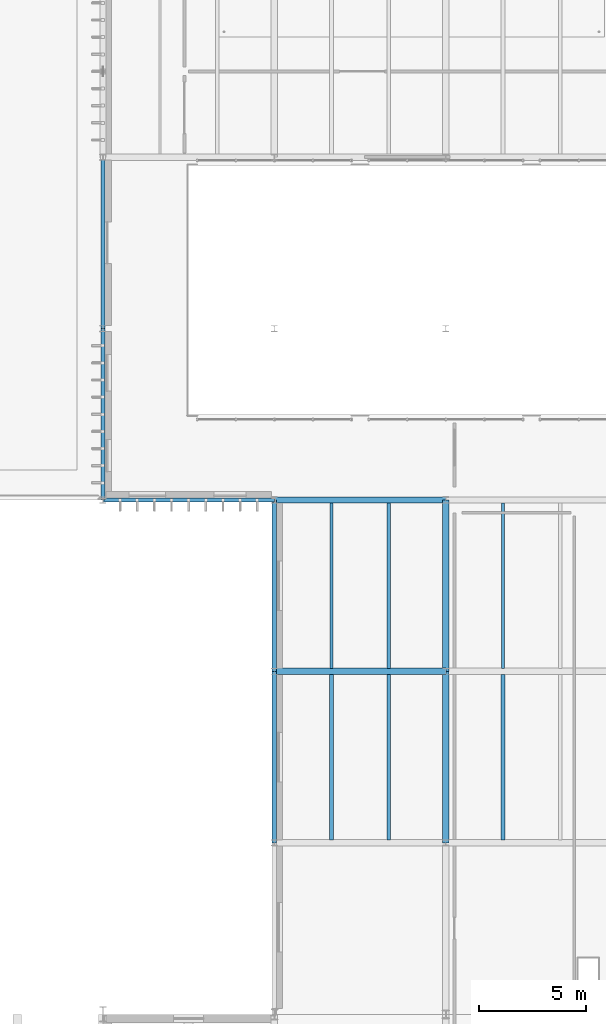
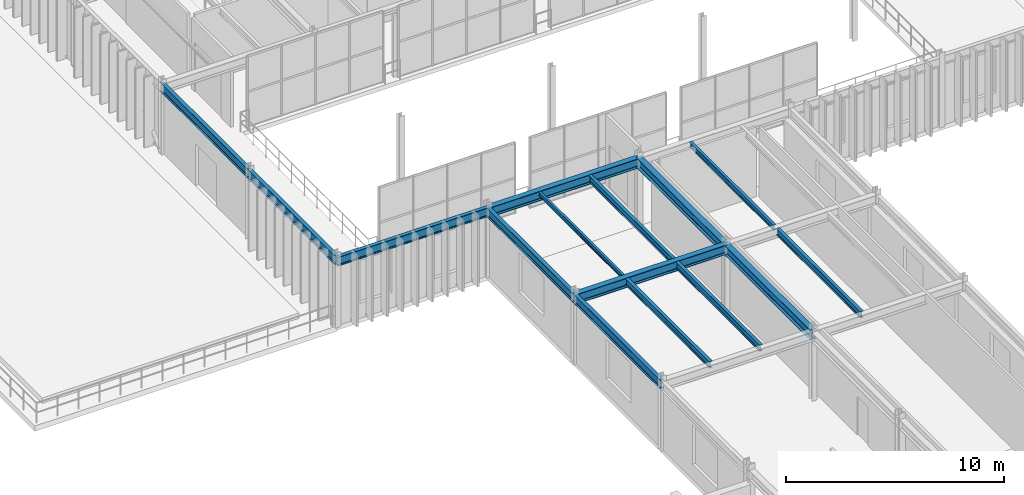
# One storey, part 41 of 122: 15 beams.
"""IFC4 building model written with IfcOpenShell, lengths in metres."""

from ifc_helpers import new_model, si_unit, direction, frame, origin, origin_2d, place, context, subcontext, project, spatial, i_section, extrude, material, material_profile, profile_set, type_object, element, save


model = new_model("IFC4")

# Units and contexts
model_context = context("Model", 3, precision=1e-05, world=origin(), true_north=direction((0.0, 1.0)))
body_context = subcontext(model_context, "Body", "Model", "MODEL_VIEW")
ifc_project = project(units=[si_unit("LENGTHUNIT", "METRE"), si_unit("AREAUNIT", "SQUARE_METRE"), si_unit("VOLUMEUNIT", "CUBIC_METRE"), si_unit("PLANEANGLEUNIT", "RADIAN"), si_unit("MASSUNIT", "GRAM", prefix="KILO")], contexts=[model_context])

# Site, building, storey
site_placement = place(None, origin())
site = spatial("IfcSite", under=ifc_project, at=site_placement, CompositionType="ELEMENT")
building_placement = place(site_placement, origin())
building = spatial("IfcBuilding", under=site, at=building_placement, Name="Sundkrona Museum", CompositionType="ELEMENT")
storey_placement = place(building_placement, frame((0.0, 0.0, 5.39990234375)))
storey = spatial("IfcBuildingStorey", under=building, at=storey_placement, Name="L01", CompositionType="ELEMENT", Elevation=5.39990234375)

# Beams
ifc_material = material(Name="Steel S355J2", Category="steel")
ifc_material_profile_1 = material_profile(ifc_material, i_section(OverallWidth=0.300048828125, OverallDepth=0.5400390625, WebThickness=0.012451171875, FlangeThickness=0.02392578125, FilletRadius=0.027099609375, at=origin_2d()), Name="HEA 550")
ifc_profile_set_1 = profile_set([ifc_material_profile_1], Name="Steel S355J2")
beam_type_1 = type_object("IfcBeamType", Name="B-HEA550", PredefinedType="BEAM", material=ifc_profile_set_1)
for number, where, z_axis, x_axis, name in (
    (1, (24.0, 70.0, 3.630126953125), (1.0, 0.0, 0.0), (0.0, 1.0, 0.0), "L01 Girder X-0877"),
    (2, (24.0, 78.0, 3.630126953125), (1.0, 0.0, 0.0), (0.0, 1.0, 0.0), "L01 Girder X-0884"),
    (3, (32.0, 62.0, 3.630126953125), (0.0, 1.0, 0.0), (-1.0, 0.0, 0.0), "L01 Girder Y-0980"),
    (4, (32.0, 70.0, 3.630126953125), (0.0, 1.0, 0.0), (-1.0, 0.0, 0.0), "L01 Girder Y-0981"),
):
    element("IfcBeam", number, at=place(storey_placement, frame(where, z_axis=z_axis, x_axis=x_axis)), inside=storey, type_object=beam_type_1, Name=name, PredefinedType="BEAM", context=body_context, shape_type="SweptSolid", body=[
        extrude(i_section(OverallWidth=0.300048828125, OverallDepth=0.5400390625, WebThickness=0.012451171875, FlangeThickness=0.02392578125, FilletRadius=0.027099609375, at=origin_2d()), origin(), (0.0, 0.0, 1.0), 8.0),
    ])
ifc_material_profile_2 = material_profile(ifc_material, i_section(OverallWidth=0.1201171875, OverallDepth=0.239990234375, WebThickness=0.006103515625, FlangeThickness=0.009765625, FilletRadius=0.014892578125, at=origin_2d()), Name="IPE 240")
ifc_profile_set_2 = profile_set([ifc_material_profile_2], Name="Steel S355J2")
beam_type_2 = type_object("IfcBeamType", Name="J-IPE240", PredefinedType="JOIST", material=ifc_profile_set_2)
beam_1_placement = place(storey_placement, frame((26.666748046875, 70.14404296875, 3.780029296875), z_axis=(0.0, 1.0, 0.0), x_axis=(-1.0, 0.0, 0.0)))
element("IfcBeam", 5, at=beam_1_placement, inside=storey, type_object=beam_type_2, Name="L01 Composite Joist 0585", PredefinedType="JOIST", context=body_context, shape_type="SweptSolid", body=[
    extrude(i_section(OverallWidth=0.1201171875, OverallDepth=0.239990234375, WebThickness=0.006103515625, FlangeThickness=0.009765625, FilletRadius=0.014892578125, at=origin_2d()), origin(), (0.0, 0.0, 1.0), 7.7119140625),
])
ifc_material_profile_3 = material_profile(ifc_material, i_section(OverallWidth=0.14990234375, OverallDepth=0.300048828125, WebThickness=0.007080078125, FlangeThickness=0.0107421875, FilletRadius=0.014892578125, at=origin_2d()), Name="IPE 300")
ifc_profile_set_3 = profile_set([ifc_material_profile_3], Name="Steel S355J2")
beam_type_3 = type_object("IfcBeamType", Name="J-IPE300", PredefinedType="JOIST", material=ifc_profile_set_3)
beam_2_placement = place(storey_placement, frame((34.666748046875, 70.14404296875, 3.75), z_axis=(0.0, 1.0, 0.0), x_axis=(-1.0, 0.0, 0.0)))
element("IfcBeam", 6, at=beam_2_placement, inside=storey, type_object=beam_type_3, Name="L01 Composite Joist 0595", PredefinedType="JOIST", context=body_context, shape_type="SweptSolid", body=[
    extrude(i_section(OverallWidth=0.14990234375, OverallDepth=0.300048828125, WebThickness=0.007080078125, FlangeThickness=0.0107421875, FilletRadius=0.014892578125, at=origin_2d()), origin(), (0.0, 0.0, 1.0), 7.7119140625),
])
ifc_material_profile_4 = material_profile(ifc_material, i_section(OverallWidth=0.169921875, OverallDepth=0.360107421875, WebThickness=0.008056640625, FlangeThickness=0.0126953125, FilletRadius=0.01806640625, at=origin_2d()), Name="IPE 360")
ifc_profile_set_4 = profile_set([ifc_material_profile_4], Name="Steel S355J2")
beam_type_4 = type_object("IfcBeamType", Name="J-IPE360", PredefinedType="JOIST", material=ifc_profile_set_4)
for number, where, z_axis, x_axis, name in (
    (7, (26.666748046875, 62.14404296875, 3.72021484375), (0.0, 1.0, 0.0), (-1.0, 0.0, 0.0), "L01 Composite Joist 0583"),
    (8, (29.333251953125, 62.14404296875, 3.72021484375), (0.0, 1.0, 0.0), (-1.0, 0.0, 0.0), "L01 Composite Joist 0584"),
    (9, (29.333251953125, 70.14404296875, 3.72021484375), (0.0, 1.0, 0.0), (-1.0, 0.0, 0.0), "L01 Composite Joist 0586"),
    (10, (34.666748046875, 62.14404296875, 3.72021484375), (0.0, 1.0, 0.0), (-1.0, 0.0, 0.0), "L01 Composite Joist 0593"),
):
    element("IfcBeam", number, at=place(storey_placement, frame(where, z_axis=z_axis, x_axis=x_axis)), inside=storey, type_object=beam_type_4, Name=name, PredefinedType="JOIST", context=body_context, shape_type="SweptSolid", body=[
        extrude(i_section(OverallWidth=0.169921875, OverallDepth=0.360107421875, WebThickness=0.008056640625, FlangeThickness=0.0126953125, FilletRadius=0.01806640625, at=origin_2d()), origin(), (0.0, 0.0, 1.0), 7.7119140625),
    ])
ifc_material_profile_5 = material_profile(ifc_material, i_section(OverallWidth=0.199951171875, OverallDepth=0.5, WebThickness=0.01025390625, FlangeThickness=0.01611328125, FilletRadius=0.02099609375, at=origin_2d()), Name="IPE 500")
ifc_profile_set_5 = profile_set([ifc_material_profile_5], Name="Steel S355J2")
beam_type_5 = type_object("IfcBeamType", Name="SP-IPE500", PredefinedType="SPANDREL", material=ifc_profile_set_5)
for number, where, z_axis, x_axis, name in (
    (11, (16.0, 78.0, 3.650146484375), (1.0, 0.0, 0.0), (0.0, 1.0, 0.0), "L01 Girder X-0883"),
    (12, (16.0, 78.0, 3.710205078125), (0.0, 1.0, 0.0), (-1.0, 0.0, 0.0), "L01 Girder Y-0963"),
    (13, (16.0, 86.0, 3.710205078125), (0.0, 1.0, 0.0), (-1.0, 0.0, 0.0), "L01 Girder Y-0964"),
    (14, (24.0, 62.0, 3.650146484375), (0.0, 1.0, 0.0), (-1.0, 0.0, 0.0), "L01 Girder Y-0972"),
    (15, (24.0, 70.0, 3.650146484375), (0.0, 1.0, 0.0), (-1.0, 0.0, 0.0), "L01 Girder Y-0973"),
):
    element("IfcBeam", number, at=place(storey_placement, frame(where, z_axis=z_axis, x_axis=x_axis)), inside=storey, type_object=beam_type_5, Name=name, PredefinedType="SPANDREL", context=body_context, shape_type="SweptSolid", body=[
        extrude(i_section(OverallWidth=0.199951171875, OverallDepth=0.5, WebThickness=0.01025390625, FlangeThickness=0.01611328125, FilletRadius=0.02099609375, at=origin_2d()), origin(), (0.0, 0.0, 1.0), 8.0),
    ])

save(model, "model.ifc")
